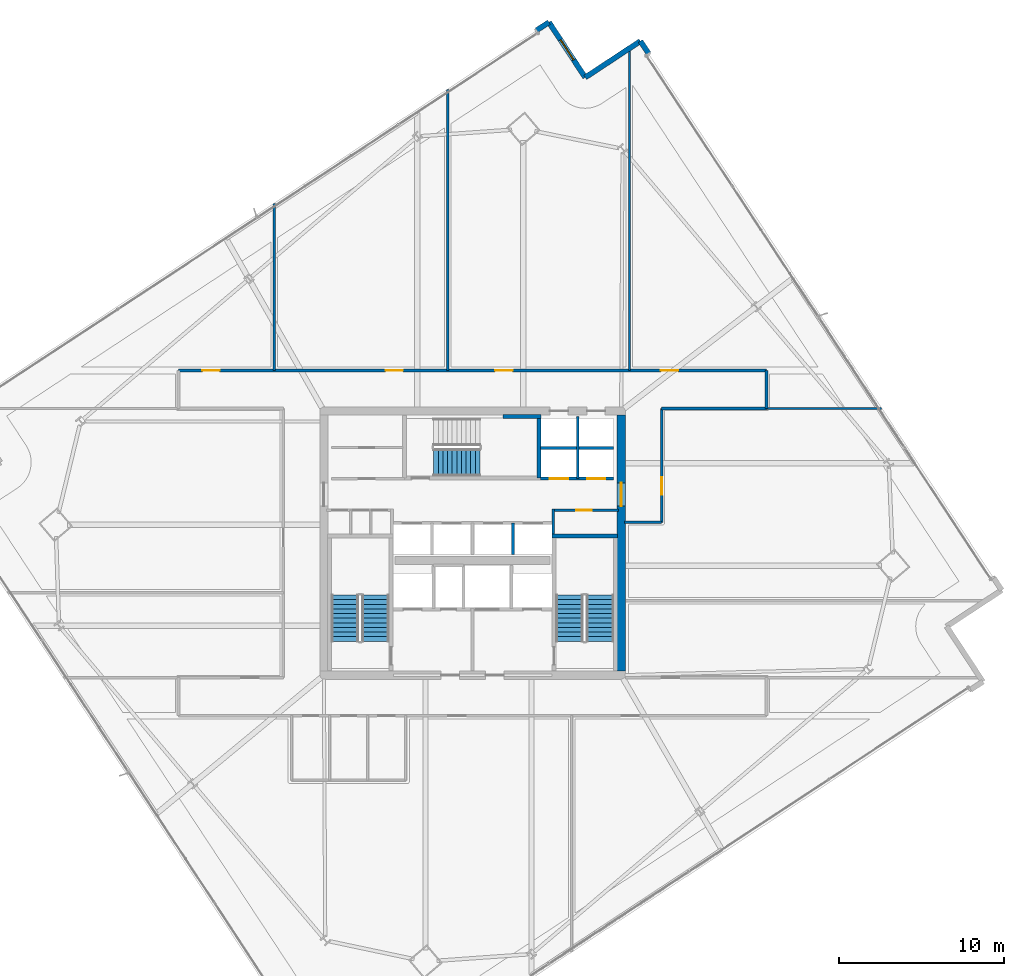
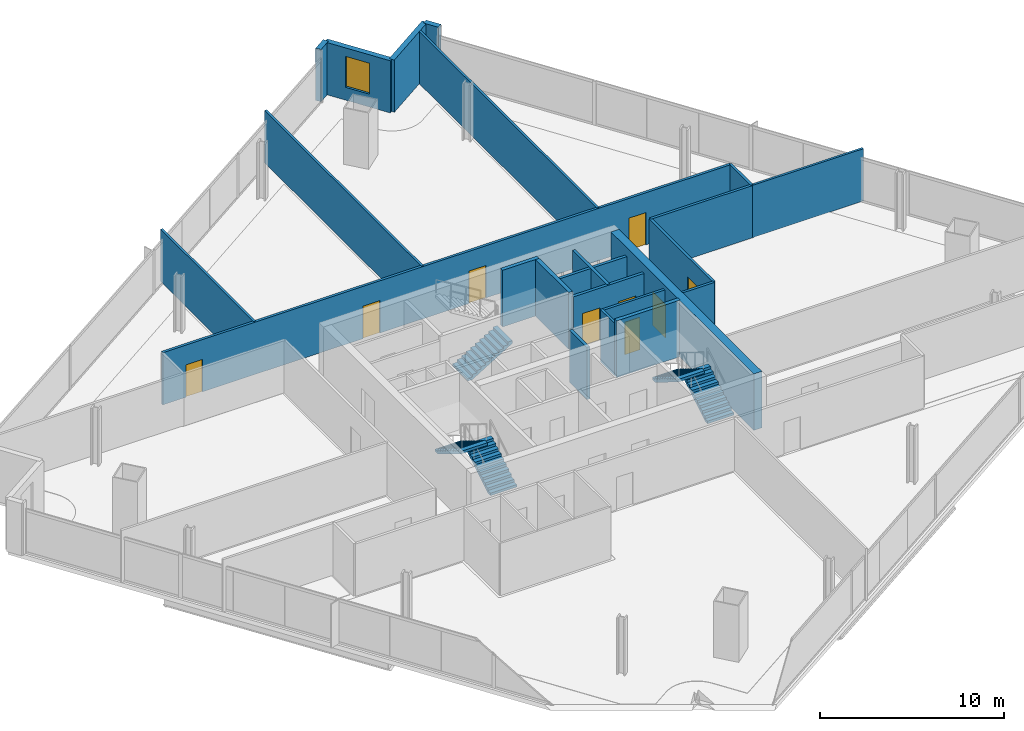
# One storey, part 23 of 29: 23 walls, 9 doors, 5 stair flights, 1 window, 10 openings, 3 elements without a shape of their own.
"""IFC4 building model written with IfcOpenShell, lengths in metres."""

from ifc_helpers import new_model, si_unit, direction, frame, frame_2d, origin, place, context, subcontext, project, spatial, polyline, rectangle, outline, extrude, material, layer, layer_set, type_object, element, fill, aggregate, save


model = new_model("IFC4")

# Units and contexts
model_context = context("Model", 3, precision=1e-05, world=origin(), true_north=direction((0.0, 1.0)))
body_context = subcontext(model_context, "Body", "Model", "MODEL_VIEW")
ifc_project = project(units=[si_unit("LENGTHUNIT", "METRE"), si_unit("AREAUNIT", "SQUARE_METRE"), si_unit("VOLUMEUNIT", "CUBIC_METRE"), si_unit("PLANEANGLEUNIT", "RADIAN"), si_unit("MASSUNIT", "GRAM", prefix="KILO")], contexts=[model_context])

# Site, building, storey
site_placement = place(None, origin())
site = spatial("IfcSite", under=ifc_project, at=site_placement, CompositionType="ELEMENT")
building_placement = place(site_placement, origin())
building = spatial("IfcBuilding", under=site, at=building_placement, Name="Haldenkirk Collegiate Tower", CompositionType="ELEMENT")
storey_placement = place(building_placement, frame((0.0, 0.0, 140.699951171875)))
storey = spatial("IfcBuildingStorey", under=building, at=storey_placement, Name="L34", CompositionType="ELEMENT", Elevation=140.699951171875)

# Wall, opening, door
ifc_material_1 = material(Name="Concrete f'c 55 MPa", Category="concrete")
ifc_layer_1 = layer(ifc_material_1, 0.5)
ifc_layer_set_1 = layer_set([ifc_layer_1], Name="Concrete f'c 55 MPa")
wall_type_1 = type_object("IfcWallType", Name="WL-CORE-500", PredefinedType="SHEAR", material=ifc_layer_set_1)
wall_1_placement = place(storey_placement, frame((45.0, 18.25, 0.0), z_axis=(0.0, 0.0, 1.0), x_axis=(0.0, 1.0, 0.0)))
wall_1 = element("IfcWall", 1, at=wall_1_placement, inside=storey, type_object=wall_type_1, Name="L34 central core shear wall E", PredefinedType="SHEAR", context=body_context, shape_type="SweptSolid", body=[
    extrude(rectangle(XDim=15.5, YDim=0.5, at=frame_2d((7.75, 0.0))), origin(), (0.0, 0.0, 1.0), 3.75),
])
opening_1_placement = place(wall_1_placement, frame((9.989990234375, 0.0, 0.0)))
opening_1 = element("IfcOpeningElement", 2, at=opening_1_placement, cuts=wall_1, Name="Opening D-03", PredefinedType="OPENING", context=body_context, shape_type="SweptSolid", body=[
    extrude(rectangle(XDim=1.39990234375, YDim=2.199951171875, at=frame_2d((0.699951171875, 1.10009765625))), frame((0.0, 0.260009765625, 0.0), z_axis=(0.0, -1.0, 0.0), x_axis=(1.0, 0.0, 0.0)), (0.0, 0.0, 1.0), 0.52001953125),
])
ifc_material_2 = material(Name="Galvanized fire-rated hollow steel door", Category="steel")
ifc_layer_2 = layer(ifc_material_2, 0.06005859375)
ifc_layer_set_2 = layer_set([ifc_layer_2], Name="Galvanized fire-rated hollow steel door")
door_type_1 = type_object("IfcDoorType", Name="DR-LOBBY-FD90-1400", OperationType="NOTDEFINED", PredefinedType="DOOR", material=ifc_layer_set_2)
door_1_placement = place(opening_1_placement, origin())
door_1 = element("IfcDoor", 3, at=door_1_placement, inside=storey, type_object=door_type_1, Name="L34 east lift lobby portal", OperationType="DOUBLE_DOOR_SINGLE_SWING", OverallHeight=2.199951171875, OverallWidth=1.39990234375, PredefinedType="DOOR", context=body_context, shape_type="SweptSolid", body=[
    extrude(rectangle(XDim=1.39990234375, YDim=2.199951171875, at=frame_2d((0.699951171875, 1.10009765625))), frame((0.0, 0.02490234375, 0.0), z_axis=(0.0, -1.0, 0.0), x_axis=(1.0, 0.0, 0.0)), (0.0, 0.0, 1.0), 0.050048828125),
])
fill(opening_1, door_1)

# Walls
ifc_material_3 = material(Name="Precast concrete f'c 40 MPa", Category="concrete")
ifc_layer_3 = layer(ifc_material_3, 0.320068359375)
ifc_layer_set_3 = layer_set([ifc_layer_3], Name="Precast concrete f'c 40 MPa")
wall_type_2 = type_object("IfcWallType", Name="WL-EXT-TWR-320", PredefinedType="STANDARD", material=ifc_layer_set_3)
wall_2_placement = place(storey_placement, frame((46.165283203125, 56.393310546875, 0.0), z_axis=(0.0, 0.0, 1.0), x_axis=(0.549556717107, -0.835456411001, 0.0)))
element("IfcWall", 4, at=wall_2_placement, inside=storey, type_object=wall_type_2, Name="L34 precast corner pier EL", PredefinedType="STANDARD", context=body_context, shape_type="SweptSolid", body=[
    extrude(rectangle(XDim=0.900146484375, YDim=0.320068359375, at=frame_2d((0.4501953125, 0.0))), origin(), (0.0, 0.0, 1.0), 3.4599609375),
])
wall_3_placement = place(storey_placement, frame((42.823974609375, 54.194091796875, 0.0), z_axis=(0.0, 0.0, 1.0), x_axis=(0.835303493264, 0.549789117881, 0.0)))
element("IfcWall", 5, at=wall_3_placement, inside=storey, type_object=wall_type_2, Name="L34 bronze precast notch wall 05", PredefinedType="STANDARD", context=body_context, shape_type="SweptSolid", body=[
    extrude(rectangle(XDim=4.0, YDim=0.320068359375, at=frame_2d((2.0, 0.0))), origin(), (0.0, 0.0, 1.0), 3.4599609375),
])

# Wall, opening, window
wall_4_placement = place(storey_placement, frame((40.625, 57.535400390625, 0.0), z_axis=(0.0, 0.0, 1.0), x_axis=(0.549746530767, -0.835331522158, 0.0)))
wall_4 = element("IfcWall", 6, at=wall_4_placement, inside=storey, type_object=wall_type_2, Name="L34 bronze precast notch wall 06", PredefinedType="STANDARD", context=body_context, shape_type="SweptSolid", body=[
    extrude(rectangle(XDim=4.0, YDim=0.320068359375, at=frame_2d((2.0, 0.0))), origin(), (0.0, 0.0, 1.0), 3.4599609375),
])
opening_2_placement = place(wall_4_placement, frame((1.27490234375, 0.0, 0.85009765625)))
opening_2 = element("IfcOpeningElement", 7, at=opening_2_placement, cuts=wall_4, Name="Opening W-05", PredefinedType="OPENING", context=body_context, shape_type="SweptSolid", body=[
    extrude(rectangle(XDim=1.449951171875, YDim=2.050048828125, at=frame_2d((0.72509765625, 1.02490234375))), frame((0.0, 0.169921875, 0.0), z_axis=(0.0, -1.0, 0.0), x_axis=(1.0, 0.0, 0.0)), (0.0, 0.0, 1.0), 0.340087890625),
])
ifc_material_4 = material(Name="Low-E argon triple insulating glass", Category="glass")
ifc_layer_4 = layer(ifc_material_4, 0.090087890625)
ifc_layer_set_4 = layer_set([ifc_layer_4], Name="Low-E argon triple insulating glass")
window_type = type_object("IfcWindowType", Name="WN-Z3-1450X2050", PartitioningType="SINGLE_PANEL", PredefinedType="WINDOW", material=ifc_layer_set_4)
window_placement = place(opening_2_placement, origin())
window = element("IfcWindow", 8, at=window_placement, inside=storey, type_object=window_type, Name="L34 precast-frame academic window 5", OverallHeight=2.050048828125, OverallWidth=1.449951171875, PartitioningType="SINGLE_PANEL", PredefinedType="WINDOW", context=body_context, shape_type="SweptSolid", body=[
    extrude(rectangle(XDim=1.449951171875, YDim=2.050048828125, at=frame_2d((0.72509765625, 1.02490234375))), frame((0.0, 0.030029296875, 0.0), z_axis=(0.0, -1.0, 0.0), x_axis=(1.0, 0.0, 0.0)), (0.0, 0.0, 1.0), 0.06005859375),
])
fill(opening_2, window)

# Wall
wall_5_placement = place(storey_placement, frame((39.873046875, 57.040771484375, 0.0), z_axis=(0.0, 0.0, 1.0), x_axis=(0.835456411001, 0.549556717107, 0.0)))
element("IfcWall", 9, at=wall_5_placement, inside=storey, type_object=wall_type_2, Name="L34 precast corner pier NR", PredefinedType="STANDARD", context=body_context, shape_type="SweptSolid", body=[
    extrude(rectangle(XDim=0.900146484375, YDim=0.320068359375, at=frame_2d((0.4501953125, 0.0))), origin(), (0.0, 0.0, 1.0), 3.4599609375),
])

# Wall, opening, door
ifc_material_5 = material(Name="Acoustic fire-rated gypsum partition", Category="concrete")
ifc_layer_5 = layer(ifc_material_5, 0.159912109375)
ifc_layer_set_5 = layer_set([ifc_layer_5], Name="Acoustic fire-rated gypsum partition")
wall_type_3 = type_object("IfcWallType", Name="WL-INT-CORR-160", PredefinedType="PARTITIONING", material=ifc_layer_set_5)
wall_6_placement = place(storey_placement, frame((40.800048828125, 27.97998046875, 0.0), z_axis=(0.0, 0.0, 1.0), x_axis=(1.0, 0.0, 0.0)))
wall_6 = element("IfcWall", 10, at=wall_6_placement, inside=storey, type_object=wall_type_3, Name="L34 interior partition IW-L34-VCSE-N", PredefinedType="PARTITIONING", context=body_context, shape_type="SweptSolid", body=[
    extrude(rectangle(XDim=4.050048828125, YDim=0.159912109375, at=frame_2d((2.02490234375, 0.0))), origin(), (0.0, 0.0, 1.0), 3.4599609375),
])
opening_3_placement = place(wall_6_placement, frame((1.47509765625, 0.0, 0.0)))
opening_3 = element("IfcOpeningElement", 11, at=opening_3_placement, cuts=wall_6, Name="Opening D-10", PredefinedType="OPENING", context=body_context, shape_type="SweptSolid", body=[
    extrude(rectangle(XDim=0.949951171875, YDim=2.14990234375, at=frame_2d((0.47509765625, 1.074951171875))), frame((0.0, 0.08984375, 0.0), z_axis=(0.0, -1.0, 0.0), x_axis=(1.0, 0.0, 0.0)), (0.0, 0.0, 1.0), 0.179931640625),
])
ifc_material_6 = material(Name="Solid-core architectural oak fire door", Category="wood")
ifc_layer_6 = layer(ifc_material_6, 0.06005859375)
ifc_layer_set_6 = layer_set([ifc_layer_6], Name="Solid-core architectural oak fire door")
door_type_2 = type_object("IfcDoorType", Name="DR-INT-FD60-950", OperationType="NOTDEFINED", PredefinedType="DOOR", material=ifc_layer_set_6)
door_2_placement = place(opening_3_placement, origin())
door_2 = element("IfcDoor", 12, at=door_2_placement, inside=storey, type_object=door_type_2, Name="L34 core archive vault door", OperationType="SINGLE_SWING_LEFT", OverallHeight=2.14990234375, OverallWidth=0.949951171875, PredefinedType="DOOR", context=body_context, shape_type="SweptSolid", body=[
    extrude(rectangle(XDim=0.949951171875, YDim=2.14990234375, at=frame_2d((0.47509765625, 1.074951171875))), frame((0.0, 0.02490234375, 0.0), z_axis=(0.0, -1.0, 0.0), x_axis=(1.0, 0.0, 0.0)), (0.0, 0.0, 1.0), 0.050048828125),
])
fill(opening_3, door_2)

# Wall
wall_7_placement = place(storey_placement, frame((40.8798828125, 26.5400390625, 0.0), z_axis=(0.0, 0.0, 1.0), x_axis=(0.0, 1.0, 0.0)))
element("IfcWall", 13, at=wall_7_placement, inside=storey, type_object=wall_type_3, Name="L34 interior partition IW-L34-VCSE-W", PredefinedType="PARTITIONING", context=body_context, shape_type="SweptSolid", body=[
    extrude(rectangle(XDim=1.510009765625, YDim=0.159912109375, at=frame_2d((0.7548828125, 0.0))), origin(), (0.0, 0.0, 1.0), 3.4599609375),
])

# Wall, openings, doors
wall_8_placement = place(storey_placement, frame((18.199951171875, 36.449951171875, 0.0), z_axis=(0.0, 0.0, 1.0), x_axis=(1.0, 0.0, 0.0)))
wall_8 = element("IfcWall", 14, at=wall_8_placement, inside=storey, type_object=wall_type_3, Name="L34 interior partition IW-L34-CN", PredefinedType="PARTITIONING", context=body_context, shape_type="SweptSolid", body=[
    extrude(rectangle(XDim=35.60009765625, YDim=0.159912109375, at=frame_2d((17.800048828125, 0.0))), origin(), (0.0, 0.0, 1.0), 3.4599609375),
])
opening_4_placement = place(wall_8_placement, frame((1.43701171875, 0.0, 0.0)))
opening_4 = element("IfcOpeningElement", 15, at=opening_4_placement, cuts=wall_8, Name="Opening D-09", PredefinedType="OPENING", context=body_context, shape_type="SweptSolid", body=[
    extrude(rectangle(XDim=1.050048828125, YDim=2.14990234375, at=frame_2d((0.52490234375, 1.074951171875))), frame((0.0, 0.08984375, 0.0), z_axis=(0.0, -1.0, 0.0), x_axis=(1.0, 0.0, 0.0)), (0.0, 0.0, 1.0), 0.179931640625),
])
opening_5_placement = place(wall_8_placement, frame((12.534912109375, 0.0, 0.0)))
opening_5 = element("IfcOpeningElement", 16, at=opening_5_placement, cuts=wall_8, Name="Opening D-09", PredefinedType="OPENING", context=body_context, shape_type="SweptSolid", body=[
    extrude(rectangle(XDim=1.050048828125, YDim=2.14990234375, at=frame_2d((0.52490234375, 1.074951171875))), frame((0.0, 0.08984375, 0.0), z_axis=(0.0, -1.0, 0.0), x_axis=(1.0, 0.0, 0.0)), (0.0, 0.0, 1.0), 0.179931640625),
])
opening_6_placement = place(wall_8_placement, frame((19.175048828125, 0.0, 0.0)))
opening_6 = element("IfcOpeningElement", 17, at=opening_6_placement, cuts=wall_8, Name="Opening D-09", PredefinedType="OPENING", context=body_context, shape_type="SweptSolid", body=[
    extrude(rectangle(XDim=1.050048828125, YDim=2.14990234375, at=frame_2d((0.52490234375, 1.074951171875))), frame((0.0, 0.08984375, 0.0), z_axis=(0.0, -1.0, 0.0), x_axis=(1.0, 0.0, 0.0)), (0.0, 0.0, 1.0), 0.179931640625),
])
opening_7_placement = place(wall_8_placement, frame((29.205078125, 0.0, 0.0)))
opening_7 = element("IfcOpeningElement", 18, at=opening_7_placement, cuts=wall_8, Name="Opening D-09", PredefinedType="OPENING", context=body_context, shape_type="SweptSolid", body=[
    extrude(rectangle(XDim=1.050048828125, YDim=2.14990234375, at=frame_2d((0.52490234375, 1.074951171875))), frame((0.0, 0.08984375, 0.0), z_axis=(0.0, -1.0, 0.0), x_axis=(1.0, 0.0, 0.0)), (0.0, 0.0, 1.0), 0.179931640625),
])
ifc_layer_7 = layer(ifc_material_6, 0.06005859375)
ifc_layer_set_7 = layer_set([ifc_layer_7], Name="Solid-core architectural oak fire door")
door_type_3 = type_object("IfcDoorType", Name="DR-INT-FD60-1050", OperationType="NOTDEFINED", PredefinedType="DOOR", material=ifc_layer_set_7)
door_3_placement = place(opening_4_placement, origin())
door_3 = element("IfcDoor", 19, at=door_3_placement, inside=storey, type_object=door_type_3, Name="L34 Treaty Archive Store 3 door", OperationType="SINGLE_SWING_LEFT", OverallHeight=2.14990234375, OverallWidth=1.050048828125, PredefinedType="DOOR", context=body_context, shape_type="SweptSolid", body=[
    extrude(rectangle(XDim=1.050048828125, YDim=2.14990234375, at=frame_2d((0.52490234375, 1.074951171875))), frame((0.0, 0.02490234375, 0.0), z_axis=(0.0, -1.0, 0.0), x_axis=(1.0, 0.0, 0.0)), (0.0, 0.0, 1.0), 0.050048828125),
])
fill(opening_4, door_3)
door_4_placement = place(opening_5_placement, origin())
door_4 = element("IfcDoor", 20, at=door_4_placement, inside=storey, type_object=door_type_3, Name="L34 Student Reading Lounge 4 door", OperationType="SINGLE_SWING_RIGHT", OverallHeight=2.14990234375, OverallWidth=1.050048828125, PredefinedType="DOOR", context=body_context, shape_type="SweptSolid", body=[
    extrude(rectangle(XDim=1.050048828125, YDim=2.14990234375, at=frame_2d((0.52490234375, 1.074951171875))), frame((0.0, 0.02490234375, 0.0), z_axis=(0.0, -1.0, 0.0), x_axis=(1.0, 0.0, 0.0)), (0.0, 0.0, 1.0), 0.050048828125),
])
fill(opening_5, door_4)
door_5_placement = place(opening_6_placement, origin())
door_5 = element("IfcDoor", 21, at=door_5_placement, inside=storey, type_object=door_type_3, Name="L34 Reading Commons Lounge 5 door", OperationType="SINGLE_SWING_LEFT", OverallHeight=2.14990234375, OverallWidth=1.050048828125, PredefinedType="DOOR", context=body_context, shape_type="SweptSolid", body=[
    extrude(rectangle(XDim=1.050048828125, YDim=2.14990234375, at=frame_2d((0.52490234375, 1.074951171875))), frame((0.0, 0.02490234375, 0.0), z_axis=(0.0, -1.0, 0.0), x_axis=(1.0, 0.0, 0.0)), (0.0, 0.0, 1.0), 0.050048828125),
])
fill(opening_6, door_5)
door_6_placement = place(opening_7_placement, origin())
door_6 = element("IfcDoor", 22, at=door_6_placement, inside=storey, type_object=door_type_3, Name="L34 Periodical Reading Lounge 6 door", OperationType="SINGLE_SWING_RIGHT", OverallHeight=2.14990234375, OverallWidth=1.050048828125, PredefinedType="DOOR", context=body_context, shape_type="SweptSolid", body=[
    extrude(rectangle(XDim=1.050048828125, YDim=2.14990234375, at=frame_2d((0.52490234375, 1.074951171875))), frame((0.0, 0.02490234375, 0.0), z_axis=(0.0, -1.0, 0.0), x_axis=(1.0, 0.0, 0.0)), (0.0, 0.0, 1.0), 0.050048828125),
])
fill(opening_7, door_6)

# Wall
wall_9_placement = place(storey_placement, frame((47.449951171875, 34.14990234375, 0.0), z_axis=(0.0, 0.0, 1.0), x_axis=(1.0, 0.0, 0.0)))
element("IfcWall", 23, at=wall_9_placement, inside=storey, type_object=wall_type_3, Name="L34 interior partition IW-L34-CNE", PredefinedType="PARTITIONING", context=body_context, shape_type="SweptSolid", body=[
    extrude(rectangle(XDim=6.35009765625, YDim=0.159912109375, at=frame_2d((3.175048828125, 0.0))), origin(), (0.0, 0.0, 1.0), 3.4599609375),
])

# Wall, opening, door
wall_10_placement = place(storey_placement, frame((47.449951171875, 27.25, 0.0), z_axis=(0.0, 0.0, 1.0), x_axis=(0.0, 1.0, 0.0)))
wall_10 = element("IfcWall", 24, at=wall_10_placement, inside=storey, type_object=wall_type_3, Name="L34 interior partition IW-L34-CE", PredefinedType="PARTITIONING", context=body_context, shape_type="SweptSolid", body=[
    extrude(rectangle(XDim=6.89990234375, YDim=0.159912109375, at=frame_2d((3.449951171875, 0.0))), origin(), (0.0, 0.0, 1.0), 3.4599609375),
])
opening_8_placement = place(wall_10_placement, frame((1.68310546875, 0.0, 0.0)))
opening_8 = element("IfcOpeningElement", 25, at=opening_8_placement, cuts=wall_10, Name="Opening D-09", PredefinedType="OPENING", context=body_context, shape_type="SweptSolid", body=[
    extrude(rectangle(XDim=1.050048828125, YDim=2.14990234375, at=frame_2d((0.52490234375, 1.074951171875))), frame((0.0, 0.08984375, 0.0), z_axis=(0.0, -1.0, 0.0), x_axis=(1.0, 0.0, 0.0)), (0.0, 0.0, 1.0), 0.179931640625),
])
door_7_placement = place(opening_8_placement, origin())
door_7 = element("IfcDoor", 26, at=door_7_placement, inside=storey, type_object=door_type_3, Name="L34 Student Reading Lounge 10 door", OperationType="SINGLE_SWING_RIGHT", OverallHeight=2.14990234375, OverallWidth=1.050048828125, PredefinedType="DOOR", context=body_context, shape_type="SweptSolid", body=[
    extrude(rectangle(XDim=1.050048828125, YDim=2.14990234375, at=frame_2d((0.52490234375, 1.074951171875))), frame((0.0, 0.02490234375, 0.0), z_axis=(0.0, -1.0, 0.0), x_axis=(1.0, 0.0, 0.0)), (0.0, 0.0, 1.0), 0.050048828125),
])
fill(opening_8, door_7)

# Walls
wall_11_placement = place(storey_placement, frame((45.199951171875, 27.25, 0.0), z_axis=(0.0, 0.0, 1.0), x_axis=(1.0, 0.0, 0.0)))
element("IfcWall", 27, at=wall_11_placement, inside=storey, type_object=wall_type_3, Name="L34 interior partition IW-L34-CES", PredefinedType="PARTITIONING", context=body_context, shape_type="SweptSolid", body=[
    extrude(rectangle(XDim=2.25, YDim=0.159912109375, at=frame_2d((1.125, 0.0))), origin(), (0.0, 0.0, 1.0), 3.4599609375),
])
wall_12_placement = place(storey_placement, frame((53.800048828125, 34.14990234375, 0.0), z_axis=(0.0, 0.0, 1.0), x_axis=(0.0, 1.0, 0.0)))
element("IfcWall", 28, at=wall_12_placement, inside=storey, type_object=wall_type_3, Name="L34 interior partition IW-L34-CNR", PredefinedType="PARTITIONING", context=body_context, shape_type="SweptSolid", body=[
    extrude(rectangle(XDim=2.300048828125, YDim=0.159912109375, at=frame_2d((1.14990234375, 0.0))), origin(), (0.0, 0.0, 1.0), 3.4599609375),
])
ifc_layer_8 = layer(ifc_material_5, 0.139892578125)
ifc_layer_set_8 = layer_set([ifc_layer_8], Name="Acoustic fire-rated gypsum partition")
wall_type_4 = type_object("IfcWallType", Name="WL-INT-DIV-140", PredefinedType="PARTITIONING", material=ifc_layer_set_8)
wall_13_placement = place(storey_placement, frame((53.800048828125, 34.14990234375, 0.0), z_axis=(0.0, 0.0, 1.0), x_axis=(1.0, 0.0, 0.0)))
element("IfcWall", 29, at=wall_13_placement, inside=storey, type_object=wall_type_4, Name="L34 interior partition IW-L34-BEN", PredefinedType="PARTITIONING", context=body_context, shape_type="SweptSolid", body=[
    extrude(rectangle(XDim=6.9560546875, YDim=0.139892578125, at=frame_2d((3.47802734375, 0.0))), origin(), (0.0, 0.0, 1.0), 3.4599609375),
])
wall_14_placement = place(storey_placement, frame((24.0, 36.449951171875, 0.0), z_axis=(0.0, 0.0, 1.0), x_axis=(0.0, 1.0, 0.0)))
element("IfcWall", 30, at=wall_14_placement, inside=storey, type_object=wall_type_4, Name="L34 interior partition IW-L34-RN1", PredefinedType="PARTITIONING", context=body_context, shape_type="SweptSolid", body=[
    extrude(rectangle(XDim=10.096435546875, YDim=0.139892578125, at=frame_2d((5.04833984375, 0.0))), origin(), (0.0, 0.0, 1.0), 3.4599609375),
])
wall_15_placement = place(storey_placement, frame((34.5, 36.449951171875, 0.0), z_axis=(0.0, 0.0, 1.0), x_axis=(0.0, 1.0, 0.0)))
element("IfcWall", 31, at=wall_15_placement, inside=storey, type_object=wall_type_4, Name="L34 interior partition IW-L34-RN2", PredefinedType="PARTITIONING", context=body_context, shape_type="SweptSolid", body=[
    extrude(rectangle(XDim=17.0068359375, YDim=0.139892578125, at=frame_2d((8.50341796875, 0.0))), origin(), (0.0, 0.0, 1.0), 3.4599609375),
])
wall_16_placement = place(storey_placement, frame((45.5, 36.449951171875, 0.0), z_axis=(0.0, 0.0, 1.0), x_axis=(0.0, 1.0, 0.0)))
element("IfcWall", 32, at=wall_16_placement, inside=storey, type_object=wall_type_4, Name="L34 interior partition IW-L34-RN3", PredefinedType="PARTITIONING", context=body_context, shape_type="SweptSolid", body=[
    extrude(rectangle(XDim=19.45751953125, YDim=0.139892578125, at=frame_2d((9.728759765625, 0.0))), origin(), (0.0, 0.0, 1.0), 3.4599609375),
])

# Wall, openings, doors
ifc_material_7 = material(Name="Fire-rated gypsum shaftboard assembly", Category="concrete")
ifc_layer_9 = layer(ifc_material_7, 0.179931640625)
ifc_layer_set_9 = layer_set([ifc_layer_9], Name="Fire-rated gypsum shaftboard assembly")
wall_type_5 = type_object("IfcWallType", Name="WL-INT-SHAFT-180", PredefinedType="PARTITIONING", material=ifc_layer_set_9)
wall_17_placement = place(storey_placement, frame((40.1201171875, 29.89990234375, 0.0), z_axis=(0.0, 0.0, 1.0), x_axis=(1.0, 0.0, 0.0)))
wall_17 = element("IfcWall", 33, at=wall_17_placement, inside=storey, type_object=wall_type_5, Name="L34 interior partition IW-L34-PMS", PredefinedType="PARTITIONING", context=body_context, shape_type="SweptSolid", body=[
    extrude(rectangle(XDim=4.429931640625, YDim=0.179931640625, at=frame_2d((2.21484375, 0.0))), origin(), (0.0, 0.0, 1.0), 3.4599609375),
])
opening_9_placement = place(wall_17_placement, frame((0.56494140625, 0.0, 0.0)))
opening_9 = element("IfcOpeningElement", 34, at=opening_9_placement, cuts=wall_17, Name="Opening LD-11", PredefinedType="OPENING", context=body_context, shape_type="SweptSolid", body=[
    extrude(rectangle(XDim=1.10009765625, YDim=2.14990234375, at=frame_2d((0.550048828125, 1.074951171875))), frame((0.0, 0.099853515625, 0.0), z_axis=(0.0, -1.0, 0.0), x_axis=(1.0, 0.0, 0.0)), (0.0, 0.0, 1.0), 0.199951171875),
])
opening_10_placement = place(wall_17_placement, frame((2.81494140625, 0.0, 0.0)))
opening_10 = element("IfcOpeningElement", 35, at=opening_10_placement, cuts=wall_17, Name="Opening LD-11", PredefinedType="OPENING", context=body_context, shape_type="SweptSolid", body=[
    extrude(rectangle(XDim=1.10009765625, YDim=2.14990234375, at=frame_2d((0.550048828125, 1.074951171875))), frame((0.0, 0.099853515625, 0.0), z_axis=(0.0, -1.0, 0.0), x_axis=(1.0, 0.0, 0.0)), (0.0, 0.0, 1.0), 0.199951171875),
])
ifc_material_8 = material(Name="Brushed architectural stainless steel", Category="steel")
ifc_layer_10 = layer(ifc_material_8, 0.06005859375)
ifc_layer_set_10 = layer_set([ifc_layer_10], Name="Brushed architectural stainless steel")
door_type_4 = type_object("IfcDoorType", Name="LD-PASS-1100", OperationType="NOTDEFINED", PredefinedType="DOOR", material=ifc_layer_set_10)
door_8_placement = place(opening_9_placement, origin())
door_8 = element("IfcDoor", 36, at=door_8_placement, inside=storey, type_object=door_type_4, Name="L34 Elevator PM1 sliding landing door", OperationType="SLIDING_TO_LEFT", OverallHeight=2.14990234375, OverallWidth=1.10009765625, PredefinedType="DOOR", context=body_context, shape_type="SweptSolid", body=[
    extrude(rectangle(XDim=1.10009765625, YDim=2.14990234375, at=frame_2d((0.550048828125, 1.074951171875))), frame((0.0, 0.02490234375, 0.0), z_axis=(0.0, -1.0, 0.0), x_axis=(1.0, 0.0, 0.0)), (0.0, 0.0, 1.0), 0.050048828125),
])
fill(opening_9, door_8)
door_9_placement = place(opening_10_placement, origin())
door_9 = element("IfcDoor", 37, at=door_9_placement, inside=storey, type_object=door_type_4, Name="L34 Elevator PM2 sliding landing door", OperationType="SLIDING_TO_LEFT", OverallHeight=2.14990234375, OverallWidth=1.10009765625, PredefinedType="DOOR", context=body_context, shape_type="SweptSolid", body=[
    extrude(rectangle(XDim=1.10009765625, YDim=2.14990234375, at=frame_2d((0.550048828125, 1.074951171875))), frame((0.0, 0.02490234375, 0.0), z_axis=(0.0, -1.0, 0.0), x_axis=(1.0, 0.0, 0.0)), (0.0, 0.0, 1.0), 0.050048828125),
])
fill(opening_10, door_9)

# Walls
wall_18_placement = place(storey_placement, frame((40.1201171875, 31.75, 0.0), z_axis=(0.0, 0.0, 1.0), x_axis=(1.0, 0.0, 0.0)))
element("IfcWall", 38, at=wall_18_placement, inside=storey, type_object=wall_type_5, Name="L34 interior partition IW-L34-PMM", PredefinedType="PARTITIONING", context=body_context, shape_type="SweptSolid", body=[
    extrude(rectangle(XDim=4.429931640625, YDim=0.179931640625, at=frame_2d((2.21484375, 0.0))), origin(), (0.0, 0.0, 1.0), 3.4599609375),
])
wall_19_placement = place(storey_placement, frame((42.3701171875, 29.89990234375, 0.0), z_axis=(0.0, 0.0, 1.0), x_axis=(0.0, 1.0, 0.0)))
element("IfcWall", 39, at=wall_19_placement, inside=storey, type_object=wall_type_5, Name="L34 interior partition IW-L34-PMV", PredefinedType="PARTITIONING", context=body_context, shape_type="SweptSolid", body=[
    extrude(rectangle(XDim=3.75, YDim=0.179931640625, at=frame_2d((1.875, 0.0))), origin(), (0.0, 0.0, 1.0), 3.4599609375),
])
wall_20_placement = place(storey_placement, frame((38.4599609375, 25.300048828125, 0.0), z_axis=(0.0, 0.0, 1.0), x_axis=(0.0, 1.0, 0.0)))
element("IfcWall", 40, at=wall_20_placement, inside=storey, type_object=wall_type_5, Name="L34 interior partition IW-L34-PHV3", PredefinedType="PARTITIONING", context=body_context, shape_type="SweptSolid", body=[
    extrude(rectangle(XDim=1.89990234375, YDim=0.179931640625, at=frame_2d((0.949951171875, 0.0))), origin(), (0.0, 0.0, 1.0), 3.4599609375),
])
ifc_layer_11 = layer(ifc_material_1, 0.239990234375)
ifc_layer_set_11 = layer_set([ifc_layer_11], Name="Concrete f'c 55 MPa")
wall_type_6 = type_object("IfcWallType", Name="WL-SHAFT-240", PredefinedType="SHEAR", material=ifc_layer_set_11)
wall_21_placement = place(storey_placement, frame((40.81005859375, 26.419921875, 0.0), z_axis=(0.0, 0.0, 1.0), x_axis=(1.0, 0.0, 0.0)))
element("IfcWall", 41, at=wall_21_placement, inside=storey, type_object=wall_type_6, Name="L34 stair shaft shear wall SW-L34-ST2N", PredefinedType="SHEAR", context=body_context, shape_type="SweptSolid", body=[
    extrude(rectangle(XDim=3.97998046875, YDim=0.239990234375, at=frame_2d((1.989990234375, 0.0))), origin(), (0.0, 0.0, 1.0), 3.75),
])
wall_22_placement = place(storey_placement, frame((40.02001953125, 29.929931640625, 0.0), z_axis=(0.0, 0.0, 1.0), x_axis=(0.0, 1.0, 0.0)))
element("IfcWall", 42, at=wall_22_placement, inside=storey, type_object=wall_type_6, Name="L34 stair shaft shear wall SW-L34-ST3E", PredefinedType="SHEAR", context=body_context, shape_type="SweptSolid", body=[
    extrude(rectangle(XDim=3.85009765625, YDim=0.239990234375, at=frame_2d((1.925048828125, 0.0))), origin(), (0.0, 0.0, 1.0), 3.75),
])
wall_23_placement = place(storey_placement, frame((37.85009765625, 33.659912109375, 0.0), z_axis=(0.0, 0.0, 1.0), x_axis=(1.0, 0.0, 0.0)))
element("IfcWall", 43, at=wall_23_placement, inside=storey, type_object=wall_type_6, Name="L34 stair shaft shear wall SW-L34-ST3N", PredefinedType="SHEAR", context=body_context, shape_type="SweptSolid", body=[
    extrude(rectangle(XDim=2.289794921875, YDim=0.239990234375, at=frame_2d((1.14501953125, 0.0))), origin(), (0.0, 0.0, 1.0), 3.75),
])

# Stair, stair flights
ifc_material_9 = material(Name="Concrete f'c 40 MPa", Category="concrete")
stair_type = type_object("IfcStairType", Name="STR-DOGLEG-1650", PredefinedType="HALF_TURN_STAIR", material=ifc_material_9)
stair_1_placement = place(storey_placement, origin())
stair_1 = element("IfcStair", 44, at=stair_1_placement, inside=storey, type_object=stair_type, Name="L34 Core Exit Stair ST-1", PredefinedType="HALF_TURN_STAIR")
stair_flight_type = type_object("IfcStairFlightType", Name="STF-FLIGHT-1650", PredefinedType="STRAIGHT", material=ifc_material_9)
stair_flight_1_placement = place(storey_placement, frame((30.125, 20.050048828125, 0.0), z_axis=(0.0, 0.0, 1.0), x_axis=(0.0, 1.0, 0.0)))
stair_flight_1 = element("IfcStairFlight", 45, at=stair_flight_1_placement, type_object=stair_flight_type, Name="ST-1 flight 1", NumberOfRisers=11, NumberOfTreads=10, PredefinedType="STRAIGHT", RiserHeight=0.170454545, TreadLength=0.28, context=body_context, shape_type="SweptSolid", body=[
    extrude(outline(polyline([(0.0, 0.0), (0.0, 0.17041015625), (0.280029296875, 0.17041015625), (0.280029296875, 0.3408203125), (0.56005859375, 0.3408203125), (0.56005859375, 0.511474609375), (0.840087890625, 0.511474609375), (0.840087890625, 0.681884765625), (1.1201171875, 0.681884765625), (1.1201171875, 0.852294921875), (1.39990234375, 0.852294921875), (1.39990234375, 1.022705078125), (1.679931640625, 1.022705078125), (1.679931640625, 1.193115234375), (1.9599609375, 1.193115234375), (1.9599609375, 1.363525390625), (2.239990234375, 1.363525390625), (2.239990234375, 1.5341796875), (2.52001953125, 1.5341796875), (2.52001953125, 1.70458984375), (2.800048828125, 1.70458984375), (2.800048828125, 1.875), (2.800048828125, 1.529052734375), (0.288330078125, 0.0), (0.0, 0.0)])), frame((0.0, 0.824951171875, 0.0), z_axis=(0.0, -1.0, 0.0), x_axis=(1.0, 0.0, 0.0)), (0.0, 0.0, 1.0), 1.64990234375),
])
stair_flight_2_placement = place(storey_placement, frame((28.27490234375, 22.85009765625, 1.875), z_axis=(0.0, 0.0, 1.0), x_axis=(0.0, -1.0, 0.0)))
stair_flight_2 = element("IfcStairFlight", 46, at=stair_flight_2_placement, type_object=stair_flight_type, Name="ST-1 flight 2", NumberOfRisers=11, NumberOfTreads=10, PredefinedType="STRAIGHT", RiserHeight=0.170454545, TreadLength=0.28, context=body_context, shape_type="SweptSolid", body=[
    extrude(outline(polyline([(0.0, 0.0), (0.0, 0.17041015625), (0.280029296875, 0.17041015625), (0.280029296875, 0.3408203125), (0.56005859375, 0.3408203125), (0.56005859375, 0.511474609375), (0.840087890625, 0.511474609375), (0.840087890625, 0.681884765625), (1.1201171875, 0.681884765625), (1.1201171875, 0.852294921875), (1.39990234375, 0.852294921875), (1.39990234375, 1.022705078125), (1.679931640625, 1.022705078125), (1.679931640625, 1.193115234375), (1.9599609375, 1.193115234375), (1.9599609375, 1.363525390625), (2.239990234375, 1.363525390625), (2.239990234375, 1.5341796875), (2.52001953125, 1.5341796875), (2.52001953125, 1.70458984375), (2.800048828125, 1.70458984375), (2.800048828125, 1.875), (2.800048828125, 1.529052734375), (0.288330078125, 0.0), (0.0, 0.0)])), frame((0.0, 0.824951171875, 0.0), z_axis=(0.0, -1.0, 0.0), x_axis=(1.0, 0.0, 0.0)), (0.0, 0.0, 1.0), 1.64990234375),
])
aggregate(stair_1, [stair_flight_1, stair_flight_2])

stair_2_placement = place(storey_placement, origin())
stair_2 = element("IfcStair", 47, at=stair_2_placement, inside=storey, type_object=stair_type, Name="L34 Core Exit Stair ST-2", PredefinedType="HALF_TURN_STAIR")
stair_flight_3_placement = place(storey_placement, frame((43.72509765625, 20.050048828125, 0.0), z_axis=(0.0, 0.0, 1.0), x_axis=(0.0, 1.0, 0.0)))
stair_flight_3 = element("IfcStairFlight", 48, at=stair_flight_3_placement, type_object=stair_flight_type, Name="ST-2 flight 1", NumberOfRisers=11, NumberOfTreads=10, PredefinedType="STRAIGHT", RiserHeight=0.170454545, TreadLength=0.28, context=body_context, shape_type="SweptSolid", body=[
    extrude(outline(polyline([(0.0, 0.0), (0.0, 0.17041015625), (0.280029296875, 0.17041015625), (0.280029296875, 0.3408203125), (0.56005859375, 0.3408203125), (0.56005859375, 0.511474609375), (0.840087890625, 0.511474609375), (0.840087890625, 0.681884765625), (1.1201171875, 0.681884765625), (1.1201171875, 0.852294921875), (1.39990234375, 0.852294921875), (1.39990234375, 1.022705078125), (1.679931640625, 1.022705078125), (1.679931640625, 1.193115234375), (1.9599609375, 1.193115234375), (1.9599609375, 1.363525390625), (2.239990234375, 1.363525390625), (2.239990234375, 1.5341796875), (2.52001953125, 1.5341796875), (2.52001953125, 1.70458984375), (2.800048828125, 1.70458984375), (2.800048828125, 1.875), (2.800048828125, 1.529052734375), (0.288330078125, 0.0), (0.0, 0.0)])), frame((0.0, 0.824951171875, 0.0), z_axis=(0.0, -1.0, 0.0), x_axis=(1.0, 0.0, 0.0)), (0.0, 0.0, 1.0), 1.64990234375),
])
stair_flight_4_placement = place(storey_placement, frame((41.875, 22.85009765625, 1.875), z_axis=(0.0, 0.0, 1.0), x_axis=(0.0, -1.0, 0.0)))
stair_flight_4 = element("IfcStairFlight", 49, at=stair_flight_4_placement, type_object=stair_flight_type, Name="ST-2 flight 2", NumberOfRisers=11, NumberOfTreads=10, PredefinedType="STRAIGHT", RiserHeight=0.170454545, TreadLength=0.28, context=body_context, shape_type="SweptSolid", body=[
    extrude(outline(polyline([(0.0, 0.0), (0.0, 0.17041015625), (0.280029296875, 0.17041015625), (0.280029296875, 0.3408203125), (0.56005859375, 0.3408203125), (0.56005859375, 0.511474609375), (0.840087890625, 0.511474609375), (0.840087890625, 0.681884765625), (1.1201171875, 0.681884765625), (1.1201171875, 0.852294921875), (1.39990234375, 0.852294921875), (1.39990234375, 1.022705078125), (1.679931640625, 1.022705078125), (1.679931640625, 1.193115234375), (1.9599609375, 1.193115234375), (1.9599609375, 1.363525390625), (2.239990234375, 1.363525390625), (2.239990234375, 1.5341796875), (2.52001953125, 1.5341796875), (2.52001953125, 1.70458984375), (2.800048828125, 1.70458984375), (2.800048828125, 1.875), (2.800048828125, 1.529052734375), (0.288330078125, 0.0), (0.0, 0.0)])), frame((0.0, 0.824951171875, 0.0), z_axis=(0.0, -1.0, 0.0), x_axis=(1.0, 0.0, 0.0)), (0.0, 0.0, 1.0), 1.64990234375),
])
aggregate(stair_2, [stair_flight_3, stair_flight_4])

# Stair, stair flight
stair_3_placement = place(storey_placement, origin())
stair_3 = element("IfcStair", 50, at=stair_3_placement, inside=storey, type_object=stair_type, Name="L34 Core Exit Stair ST-3", PredefinedType="HALF_TURN_STAIR")
stair_flight_5_placement = place(storey_placement, frame((33.64990234375, 30.875, 0.0), z_axis=(0.0, 0.0, 1.0), x_axis=(1.0, 0.0, 0.0)))
stair_flight_5 = element("IfcStairFlight", 51, at=stair_flight_5_placement, type_object=stair_flight_type, Name="ST-3 flight 1", NumberOfRisers=11, NumberOfTreads=10, PredefinedType="STRAIGHT", RiserHeight=0.170454545, TreadLength=0.28, context=body_context, shape_type="SweptSolid", body=[
    extrude(outline(polyline([(0.0, 0.0), (0.0, 0.17041015625), (0.280029296875, 0.17041015625), (0.280029296875, 0.3408203125), (0.56005859375, 0.3408203125), (0.56005859375, 0.511474609375), (0.840087890625, 0.511474609375), (0.840087890625, 0.681884765625), (1.1201171875, 0.681884765625), (1.1201171875, 0.852294921875), (1.39990234375, 0.852294921875), (1.39990234375, 1.022705078125), (1.679931640625, 1.022705078125), (1.679931640625, 1.193115234375), (1.9599609375, 1.193115234375), (1.9599609375, 1.363525390625), (2.239990234375, 1.363525390625), (2.239990234375, 1.5341796875), (2.52001953125, 1.5341796875), (2.52001953125, 1.70458984375), (2.800048828125, 1.70458984375), (2.800048828125, 1.875), (2.800048828125, 1.529052734375), (0.288330078125, 0.0), (0.0, 0.0)])), frame((0.0, 0.824951171875, 0.0), z_axis=(0.0, -1.0, 0.0), x_axis=(1.0, 0.0, 0.0)), (0.0, 0.0, 1.0), 1.64990234375),
])
aggregate(stair_3, [stair_flight_5])

save(model, "model.ifc")
